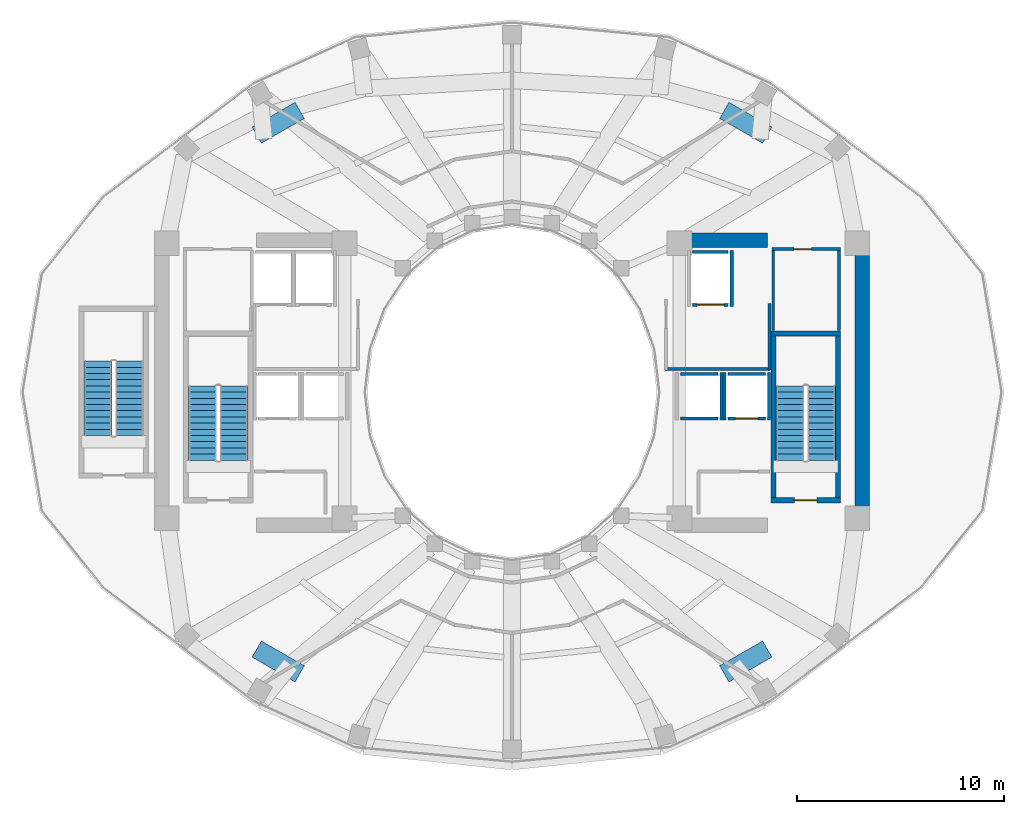
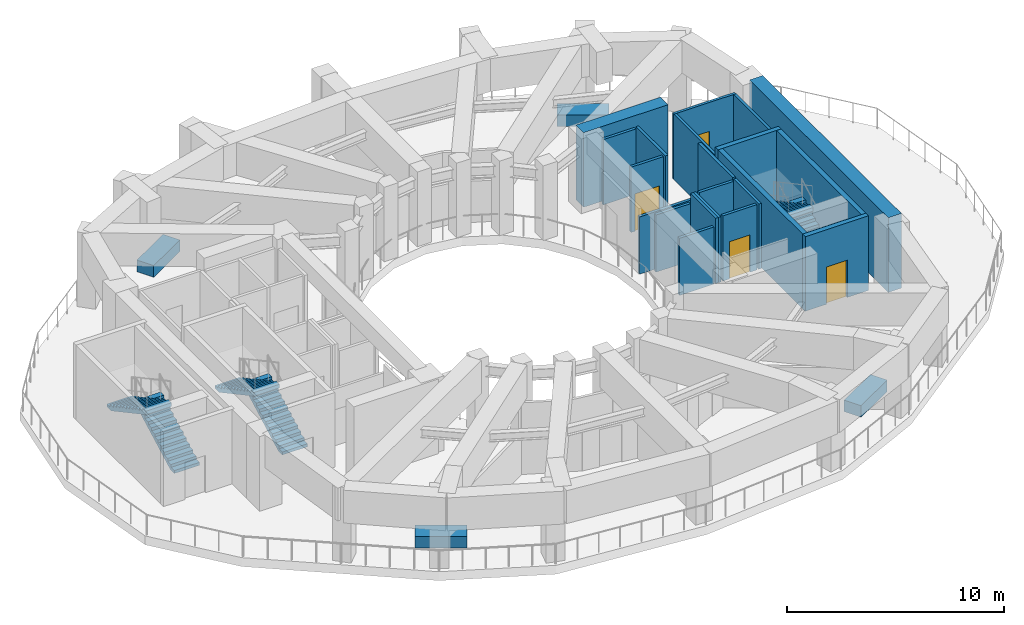
# One storey, part 4 of 9: 21 walls, 6 stair flights, 4 discrete accessories, 4 doors, 4 openings, 3 elements without a shape of their own.
"""IFC4 building model written with IfcOpenShell, lengths in metres."""

from ifc_helpers import new_model, si_unit, direction, frame, frame_2d, origin, origin_2d, place, context, subcontext, project, spatial, polyline, rectangle, outline, extrude, material, layer, layer_set, type_object, element, fill, aggregate, save


model = new_model("IFC4")

# Units and contexts
model_context = context("Model", 3, precision=1e-05, world=origin(), true_north=direction((0.0, 1.0)))
body_context = subcontext(model_context, "Body", "Model", "MODEL_VIEW")
ifc_project = project(units=[si_unit("LENGTHUNIT", "METRE"), si_unit("AREAUNIT", "SQUARE_METRE"), si_unit("VOLUMEUNIT", "CUBIC_METRE"), si_unit("PLANEANGLEUNIT", "RADIAN"), si_unit("MASSUNIT", "GRAM", prefix="KILO")], contexts=[model_context])

# Site, building, storey
site_placement = place(None, origin())
site = spatial("IfcSite", under=ifc_project, at=site_placement, CompositionType="ELEMENT")
building_placement = place(site_placement, origin())
building = spatial("IfcBuilding", under=site, at=building_placement, Name="Solvane Sanctuary Tower", CompositionType="ELEMENT")
storey_placement = place(building_placement, frame((0.0, 0.0, 133.199951171875)))
storey = spatial("IfcBuildingStorey", under=building, at=storey_placement, Name="L40", CompositionType="ELEMENT", Elevation=133.199951171875)

# Walls
ifc_material_1 = material(Name="Concrete C60/75", Category="concrete")
ifc_layer_1 = layer(ifc_material_1, 0.699951171875, Name="Concrete C60/75")
ifc_layer_set_1 = layer_set([ifc_layer_1], Name="Concrete C60/75")
wall_type_1 = type_object("IfcWallType", Name="Wall W-CORE-700", PredefinedType="SHEAR", material=ifc_layer_set_1)
wall_1_placement = place(storey_placement, frame((48.949951171875, 17.050048828125, 0.0), z_axis=(0.0, 0.0, 1.0), x_axis=(0.0, 1.0, 0.0)))
element("IfcWall", 1, at=wall_1_placement, inside=storey, type_object=wall_type_1, Name="L40 Core Shear Wall EC-E", PredefinedType="SHEAR", context=body_context, shape_type="SweptSolid", body=[
    extrude(rectangle(XDim=12.800048828125, YDim=0.699951171875, at=frame_2d((6.39990234375, 0.0))), origin(), (0.0, 0.0, 1.0), 4.199951171875),
])
wall_2_placement = place(storey_placement, frame((39.85009765625, 30.35009765625, 0.0), z_axis=(0.0, 0.0, 1.0), x_axis=(1.0, 0.0, 0.0)))
element("IfcWall", 2, at=wall_2_placement, inside=storey, type_object=wall_type_1, Name="L40 Core Shear Wall EC-N", PredefinedType="SHEAR", context=body_context, shape_type="SweptSolid", body=[
    extrude(rectangle(XDim=4.5, YDim=0.699951171875, at=frame_2d((2.25, 0.0))), origin(), (0.0, 0.0, 1.0), 4.199951171875),
])
ifc_material_2 = material(Name="Acoustic Gypsum Partition Board")
ifc_layer_2 = layer(ifc_material_2, 0.14990234375, Name="Acoustic Gypsum Partition Board")
ifc_layer_set_2 = layer_set([ifc_layer_2], Name="Acoustic Gypsum Partition Board")
wall_type_2 = type_object("IfcWallType", Name="Wall W-CORR-150", PredefinedType="PARTITIONING", material=ifc_layer_set_2)
wall_3_placement = place(storey_placement, frame((39.39990234375, 24.1201171875, 0.0), z_axis=(0.0, 0.0, 1.0), x_axis=(1.0, 0.0, 0.0)))
element("IfcWall", 3, at=wall_3_placement, inside=storey, type_object=wall_type_2, Name="L40 East Firefighting Lobby South Wall", PredefinedType="PARTITIONING", context=body_context, shape_type="SweptSolid", body=[
    extrude(rectangle(XDim=5.080078125, YDim=0.14990234375, at=frame_2d((2.5400390625, 0.0))), origin(), (0.0, 0.0, 1.0), 3.219970703125),
])
wall_4_placement = place(storey_placement, frame((44.449951171875, 24.080078125, 0.0), z_axis=(0.0, 0.0, 1.0), x_axis=(0.0, 1.0, 0.0)))
element("IfcWall", 4, at=wall_4_placement, inside=storey, type_object=wall_type_2, Name="L40 East Firefighting Lobby East Wall", PredefinedType="PARTITIONING", context=body_context, shape_type="SweptSolid", body=[
    extrude(rectangle(XDim=3.199951171875, YDim=0.14990234375, at=frame_2d((1.60009765625, 0.0))), origin(), (0.0, 0.0, 1.0), 3.675048828125),
])

# Wall, opening, door
ifc_material_3 = material(Name="Concrete C50/60", Category="concrete")
ifc_layer_3 = layer(ifc_material_3, 0.14990234375, Name="Concrete C50/60")
ifc_layer_set_3 = layer_set([ifc_layer_3], Name="Concrete C50/60")
wall_type_3 = type_object("IfcWallType", Name="Wall W-SHAFT-150", PredefinedType="SOLIDWALL", material=ifc_layer_set_3)
wall_5_placement = place(storey_placement, frame((42.43994140625, 21.719970703125, 0.0), z_axis=(0.0, 0.0, 1.0), x_axis=(1.0, 0.0, 0.0)))
wall_5 = element("IfcWall", 5, at=wall_5_placement, inside=storey, type_object=wall_type_3, Name="L40 PM-2 Lift Shaft Wall F", PredefinedType="SOLIDWALL", context=body_context, shape_type="SweptSolid", body=[
    extrude(rectangle(XDim=1.820068359375, YDim=0.14990234375, at=frame_2d((0.91015625, 0.0))), origin(), (0.0, 0.0, 1.0), 3.675048828125),
])
opening_1_placement = place(wall_5_placement, frame((0.360107421875, 0.0, 0.0)))
opening_1 = element("IfcOpeningElement", 6, at=opening_1_placement, cuts=wall_5, Name="Opening LD-L40-02", PredefinedType="OPENING", context=body_context, shape_type="SweptSolid", body=[
    extrude(rectangle(XDim=1.10009765625, YDim=2.10009765625, at=frame_2d((0.550048828125, 1.050048828125))), frame((0.0, 0.0849609375, 0.0), z_axis=(0.0, -1.0, 0.0), x_axis=(1.0, 0.0, 0.0)), (0.0, 0.0, 1.0), 0.169921875),
])
ifc_material_4 = material(Name="Architectural Stainless Steel 316", Category="steel")
door_type_1 = type_object("IfcDoorType", Name="Door LD-PASS-1100", OperationType="NOTDEFINED", PredefinedType="DOOR", material=ifc_material_4)
door_1_placement = place(opening_1_placement, origin())
door_1 = element("IfcDoor", 7, at=door_1_placement, inside=storey, type_object=door_type_1, Name="L40 PM-2 Lift Landing Door", OperationType="DOUBLE_DOOR_SLIDING", OverallHeight=2.10009765625, OverallWidth=1.10009765625, PredefinedType="DOOR", context=body_context, shape_type="SweptSolid", body=[
    extrude(rectangle(XDim=1.10009765625, YDim=2.10009765625, at=frame_2d((0.550048828125, 1.050048828125))), frame((0.0, 0.02490234375, 0.0), z_axis=(0.0, -1.0, 0.0), x_axis=(1.0, 0.0, 0.0)), (0.0, 0.0, 1.0), 0.050048828125),
])
fill(opening_1, door_1)

# Walls
wall_6_placement = place(storey_placement, frame((42.43994140625, 23.8798828125, 0.0), z_axis=(0.0, 0.0, 1.0), x_axis=(1.0, 0.0, 0.0)))
element("IfcWall", 8, at=wall_6_placement, inside=storey, type_object=wall_type_3, Name="L40 PM-2 Lift Shaft Wall B", PredefinedType="SOLIDWALL", context=body_context, shape_type="SweptSolid", body=[
    extrude(rectangle(XDim=1.820068359375, YDim=0.14990234375, at=frame_2d((0.91015625, 0.0))), origin(), (0.0, 0.0, 1.0), 3.675048828125),
])
for number, where, z_axis, x_axis, name in (
    (9, (42.27001953125, 21.639892578125, 0.0), (0.0, 0.0, 1.0), (0.0, 1.0, 0.0), "L40 PM-2 Lift Shaft Wall S1"),
    (10, (44.429931640625, 21.639892578125, 0.0), (0.0, 0.0, 1.0), (0.0, 1.0, 0.0), "L40 PM-2 Lift Shaft Wall S2"),
):
    element("IfcWall", number, at=place(storey_placement, frame(where, z_axis=z_axis, x_axis=x_axis)), inside=storey, type_object=wall_type_3, Name=name, PredefinedType="SOLIDWALL", context=body_context, shape_type="SweptSolid", body=[
        extrude(rectangle(XDim=2.320068359375, YDim=0.14990234375, at=frame_2d((1.16015625, 0.0))), origin(), (0.0, 0.0, 1.0), 3.675048828125),
    ])
for number, where, z_axis, x_axis, name in (
    (11, (40.139892578125, 21.719970703125, 0.0), (0.0, 0.0, 1.0), (1.0, 0.0, 0.0), "L40 PH-2 Lift Shaft Wall F"),
    (12, (40.139892578125, 23.8798828125, 0.0), (0.0, 0.0, 1.0), (1.0, 0.0, 0.0), "L40 PH-2 Lift Shaft Wall B"),
):
    element("IfcWall", number, at=place(storey_placement, frame(where, z_axis=z_axis, x_axis=x_axis)), inside=storey, type_object=wall_type_3, Name=name, PredefinedType="SOLIDWALL", context=body_context, shape_type="SweptSolid", body=[
        extrude(rectangle(XDim=1.820068359375, YDim=0.14990234375, at=frame_2d((0.91015625, 0.0))), origin(), (0.0, 0.0, 1.0), 3.219970703125),
    ])
wall_7_placement = place(storey_placement, frame((42.1298828125, 21.639892578125, 0.0), z_axis=(0.0, 0.0, 1.0), x_axis=(0.0, 1.0, 0.0)))
element("IfcWall", 13, at=wall_7_placement, inside=storey, type_object=wall_type_3, Name="L40 PH-2 Lift Shaft Wall S2", PredefinedType="SOLIDWALL", context=body_context, shape_type="SweptSolid", body=[
    extrude(rectangle(XDim=2.320068359375, YDim=0.14990234375, at=frame_2d((1.16015625, 0.0))), origin(), (0.0, 0.0, 1.0), 3.675048828125),
])

# Wall, opening, door
wall_8_placement = place(storey_placement, frame((40.739990234375, 27.219970703125, 0.0), z_axis=(0.0, 0.0, 1.0), x_axis=(1.0, 0.0, 0.0)))
wall_8 = element("IfcWall", 14, at=wall_8_placement, inside=storey, type_object=wall_type_3, Name="L40 FFL-2 Lift Shaft Wall F", PredefinedType="SOLIDWALL", context=body_context, shape_type="SweptSolid", body=[
    extrude(rectangle(XDim=1.719970703125, YDim=0.14990234375, at=frame_2d((0.85986328125, 0.0))), origin(), (0.0, 0.0, 1.0), 3.675048828125),
])
opening_2_placement = place(wall_8_placement, frame((0.2099609375, 0.0, 0.0)))
opening_2 = element("IfcOpeningElement", 15, at=opening_2_placement, cuts=wall_8, Name="Opening LD-L40-05", PredefinedType="OPENING", context=body_context, shape_type="SweptSolid", body=[
    extrude(rectangle(XDim=1.300048828125, YDim=2.10009765625, at=frame_2d((0.64990234375, 1.050048828125))), frame((0.0, 0.0849609375, 0.0), z_axis=(0.0, -1.0, 0.0), x_axis=(1.0, 0.0, 0.0)), (0.0, 0.0, 1.0), 0.169921875),
])
door_type_2 = type_object("IfcDoorType", Name="Door LD-FFL-1300", OperationType="NOTDEFINED", PredefinedType="DOOR", material=ifc_material_4)
door_2_placement = place(opening_2_placement, origin())
door_2 = element("IfcDoor", 16, at=door_2_placement, inside=storey, type_object=door_type_2, Name="L40 FFL-2 Lift Landing Door", OperationType="DOUBLE_DOOR_SLIDING", OverallHeight=2.10009765625, OverallWidth=1.300048828125, PredefinedType="DOOR", context=body_context, shape_type="SweptSolid", body=[
    extrude(rectangle(XDim=1.300048828125, YDim=2.10009765625, at=frame_2d((0.64990234375, 1.050048828125))), frame((0.0, 0.02490234375, 0.0), z_axis=(0.0, -1.0, 0.0), x_axis=(1.0, 0.0, 0.0)), (0.0, 0.0, 1.0), 0.050048828125),
])
fill(opening_2, door_2)

# Walls
wall_9_placement = place(storey_placement, frame((40.739990234375, 29.780029296875, 0.0), z_axis=(0.0, 0.0, 1.0), x_axis=(1.0, 0.0, 0.0)))
element("IfcWall", 17, at=wall_9_placement, inside=storey, type_object=wall_type_3, Name="L40 FFL-2 Lift Shaft Wall B", PredefinedType="SOLIDWALL", context=body_context, shape_type="SweptSolid", body=[
    extrude(rectangle(XDim=1.719970703125, YDim=0.14990234375, at=frame_2d((0.85986328125, 0.0))), origin(), (0.0, 0.0, 1.0), 3.675048828125),
])
wall_10_placement = place(storey_placement, frame((42.6298828125, 27.139892578125, 0.0), z_axis=(0.0, 0.0, 1.0), x_axis=(0.0, 1.0, 0.0)))
element("IfcWall", 18, at=wall_10_placement, inside=storey, type_object=wall_type_3, Name="L40 FFL-2 Lift Shaft Wall S2", PredefinedType="SOLIDWALL", context=body_context, shape_type="SweptSolid", body=[
    extrude(rectangle(XDim=2.72021484375, YDim=0.14990234375, at=frame_2d((1.360107421875, 0.0))), origin(), (0.0, 0.0, 1.0), 3.675048828125),
])

# Wall, opening, door
ifc_layer_4 = layer(ifc_material_3, 0.25, Name="Concrete C50/60")
ifc_layer_set_4 = layer_set([ifc_layer_4], Name="Concrete C50/60")
wall_type_4 = type_object("IfcWallType", Name="Wall W-SHAFT-250", PredefinedType="SOLIDWALL", material=ifc_layer_set_4)
wall_11_placement = place(storey_placement, frame((44.52490234375, 17.77001953125, 0.0), z_axis=(0.0, 0.0, 1.0), x_axis=(1.0, 0.0, 0.0)))
wall_11 = element("IfcWall", 19, at=wall_11_placement, inside=storey, type_object=wall_type_4, Name="L40 ST-2 Load-Bearing Shaft Wall S", PredefinedType="SOLIDWALL", context=body_context, shape_type="SweptSolid", body=[
    extrude(rectangle(XDim=3.3701171875, YDim=0.25, at=frame_2d((1.68505859375, 0.0))), origin(), (0.0, 0.0, 1.0), 4.199951171875),
])
opening_3_placement = place(wall_11_placement, frame((1.135009765625, 0.0, 0.0)))
opening_3 = element("IfcOpeningElement", 20, at=opening_3_placement, cuts=wall_11, Name="Opening D-L40-02", PredefinedType="OPENING", context=body_context, shape_type="SweptSolid", body=[
    extrude(rectangle(XDim=1.10009765625, YDim=2.10009765625, at=frame_2d((0.550048828125, 1.050048828125))), frame((0.0, 0.135009765625, 0.0), z_axis=(0.0, -1.0, 0.0), x_axis=(1.0, 0.0, 0.0)), (0.0, 0.0, 1.0), 0.27001953125),
])
door_type_3 = type_object("IfcDoorType", Name="Door D-STAIR", OperationType="NOTDEFINED", PredefinedType="DOOR", material=ifc_material_4)
door_3_placement = place(opening_3_placement, origin())
door_3 = element("IfcDoor", 21, at=door_3_placement, inside=storey, type_object=door_type_3, Name="L40 ST-2 Exit Stair Fire Door", OperationType="SINGLE_SWING_LEFT", OverallHeight=2.10009765625, OverallWidth=1.10009765625, PredefinedType="DOOR", context=body_context, shape_type="SweptSolid", body=[
    extrude(rectangle(XDim=1.10009765625, YDim=2.10009765625, at=frame_2d((0.550048828125, 1.050048828125))), frame((0.0, 0.02490234375, 0.0), z_axis=(0.0, -1.0, 0.0), x_axis=(1.0, 0.0, 0.0)), (0.0, 0.0, 1.0), 0.050048828125),
])
fill(opening_3, door_3)

# Walls
wall_12_placement = place(storey_placement, frame((44.52490234375, 25.830078125, 0.0), z_axis=(0.0, 0.0, 1.0), x_axis=(1.0, 0.0, 0.0)))
element("IfcWall", 22, at=wall_12_placement, inside=storey, type_object=wall_type_4, Name="L40 ST-2 Load-Bearing Shaft Wall N", PredefinedType="SOLIDWALL", context=body_context, shape_type="SweptSolid", body=[
    extrude(rectangle(XDim=3.3701171875, YDim=0.25, at=frame_2d((1.68505859375, 0.0))), origin(), (0.0, 0.0, 1.0), 4.199951171875),
])
for number, where, z_axis, x_axis, name in (
    (23, (44.64990234375, 17.89501953125, 0.0), (0.0, 0.0, 1.0), (0.0, 1.0, 0.0), "L40 ST-2 Load-Bearing Shaft Wall W"),
    (24, (47.77001953125, 17.89501953125, 0.0), (0.0, 0.0, 1.0), (0.0, 1.0, 0.0), "L40 ST-2 Load-Bearing Shaft Wall E"),
):
    element("IfcWall", number, at=place(storey_placement, frame(where, z_axis=z_axis, x_axis=x_axis)), inside=storey, type_object=wall_type_4, Name=name, PredefinedType="SOLIDWALL", context=body_context, shape_type="SweptSolid", body=[
        extrude(rectangle(XDim=7.81005859375, YDim=0.25, at=frame_2d((3.905029296875, 0.0))), origin(), (0.0, 0.0, 1.0), 4.199951171875),
    ])

# Wall, opening, door
ifc_layer_5 = layer(ifc_material_2, 0.139892578125, Name="Acoustic Gypsum Partition Board")
ifc_layer_set_5 = layer_set([ifc_layer_5], Name="Acoustic Gypsum Partition Board")
wall_type_5 = type_object("IfcWallType", Name="Wall W-WET-140", PredefinedType="PLUMBINGWALL", material=ifc_layer_set_5)
wall_13_placement = place(storey_placement, frame((44.580078125, 29.919921875, 0.0), z_axis=(0.0, 0.0, 1.0), x_axis=(1.0, 0.0, 0.0)))
wall_13 = element("IfcWall", 25, at=wall_13_placement, inside=storey, type_object=wall_type_5, Name="L40 Refuge Store Front Wall", PredefinedType="PLUMBINGWALL", context=body_context, shape_type="SweptSolid", body=[
    extrude(rectangle(XDim=3.2998046875, YDim=0.139892578125, at=frame_2d((1.64990234375, 0.0))), origin(), (0.0, 0.0, 1.0), 3.675048828125),
])
opening_4_placement = place(wall_13_placement, frame((1.050537109375, 0.0, 0.0)))
opening_4 = element("IfcOpeningElement", 26, at=opening_4_placement, cuts=wall_13, Name="Opening D-L40-13", PredefinedType="OPENING", context=body_context, shape_type="SweptSolid", body=[
    extrude(rectangle(XDim=0.85009765625, YDim=2.050048828125, at=frame_2d((0.425048828125, 1.02490234375))), frame((0.0, 0.079833984375, 0.0), z_axis=(0.0, -1.0, 0.0), x_axis=(1.0, 0.0, 0.0)), (0.0, 0.0, 1.0), 0.159912109375),
])
door_type_4 = type_object("IfcDoorType", Name="Door D-RISER", OperationType="NOTDEFINED", PredefinedType="DOOR", material=ifc_material_4)
door_4_placement = place(opening_4_placement, origin())
door_4 = element("IfcDoor", 27, at=door_4_placement, inside=storey, type_object=door_type_4, Name="L40 Refuge First Aid Door", OperationType="SINGLE_SWING_LEFT", OverallHeight=2.050048828125, OverallWidth=0.85009765625, PredefinedType="DOOR", context=body_context, shape_type="SweptSolid", body=[
    extrude(rectangle(XDim=0.85009765625, YDim=2.050048828125, at=frame_2d((0.425048828125, 1.02490234375))), frame((0.0, 0.02490234375, 0.0), z_axis=(0.0, -1.0, 0.0), x_axis=(1.0, 0.0, 0.0)), (0.0, 0.0, 1.0), 0.050048828125),
])
fill(opening_4, door_4)

# Walls
for number, where, z_axis, x_axis, name in (
    (28, (44.639892578125, 25.97998046875, 0.0), (0.0, 0.0, 1.0), (0.0, 1.0, 0.0), "L40 Refuge Store West Wall"),
    (29, (47.820068359375, 25.97998046875, 0.0), (0.0, 0.0, 1.0), (0.0, 1.0, 0.0), "L40 Refuge Store East Wall"),
):
    element("IfcWall", number, at=place(storey_placement, frame(where, z_axis=z_axis, x_axis=x_axis)), inside=storey, type_object=wall_type_5, Name=name, PredefinedType="PLUMBINGWALL", context=body_context, shape_type="SweptSolid", body=[
        extrude(rectangle(XDim=3.880126953125, YDim=0.139892578125, at=frame_2d((1.93994140625, 0.0))), origin(), (0.0, 0.0, 1.0), 3.675048828125),
    ])

# Stair, stair flights
ifc_material_5 = material(Name="Concrete C45/55", Category="concrete")
stair_type = type_object("IfcStairType", Name="Stair ST-TOW", PredefinedType="HALF_TURN_STAIR", material=ifc_material_5)
stair_1_placement = place(storey_placement, origin())
stair_1 = element("IfcStair", 30, at=stair_1_placement, inside=storey, type_object=stair_type, Name="L40 Exit Stair ST-1 West Core", PredefinedType="HALF_TURN_STAIR")
stair_flight_type = type_object("IfcStairFlightType", Name="StairFlight SF-TOW", PredefinedType="STRAIGHT", material=ifc_material_5)
stair_flight_1_placement = place(storey_placement, frame((18.544921875, 19.699951171875, 0.0), z_axis=(0.0, 0.0, 1.0), x_axis=(0.0, 1.0, 0.0)))
stair_flight_1 = element("IfcStairFlight", 31, at=stair_flight_1_placement, type_object=stair_flight_type, Name="ST-1 flight 1", NumberOfRisers=13, NumberOfTreads=12, PredefinedType="STRAIGHT", RiserHeight=0.161538462, TreadLength=0.3, context=body_context, shape_type="SweptSolid", body=[
    extrude(outline(polyline([(0.0, 0.0), (0.0, 0.16162109375), (0.300048828125, 0.16162109375), (0.300048828125, 0.322998046875), (0.60009765625, 0.322998046875), (0.60009765625, 0.484619140625), (0.89990234375, 0.484619140625), (0.89990234375, 0.646240234375), (1.199951171875, 0.646240234375), (1.199951171875, 0.8076171875), (1.5, 0.8076171875), (1.5, 0.96923828125), (1.800048828125, 0.96923828125), (1.800048828125, 1.130859375), (2.10009765625, 1.130859375), (2.10009765625, 1.292236328125), (2.39990234375, 1.292236328125), (2.39990234375, 1.453857421875), (2.699951171875, 1.453857421875), (2.699951171875, 1.615478515625), (3.0, 1.615478515625), (3.0, 1.77685546875), (3.300048828125, 1.77685546875), (3.300048828125, 1.9384765625), (3.60009765625, 1.9384765625), (3.60009765625, 2.10009765625), (3.60009765625, 1.734130859375), (0.379638671875, 0.0), (0.0, 0.0)])), frame((0.0, 0.675048828125, 0.0), z_axis=(0.0, -1.0, 0.0), x_axis=(1.0, 0.0, 0.0)), (0.0, 0.0, 1.0), 1.35009765625),
])
stair_flight_2_placement = place(storey_placement, frame((17.034912109375, 23.300048828125, 2.10009765625), z_axis=(0.0, 0.0, 1.0), x_axis=(0.0, -1.0, 0.0)))
stair_flight_2 = element("IfcStairFlight", 32, at=stair_flight_2_placement, type_object=stair_flight_type, Name="ST-1 flight 2", NumberOfRisers=13, NumberOfTreads=12, PredefinedType="STRAIGHT", RiserHeight=0.161538462, TreadLength=0.3, context=body_context, shape_type="SweptSolid", body=[
    extrude(outline(polyline([(0.0, 0.0), (0.0, 0.16162109375), (0.300048828125, 0.16162109375), (0.300048828125, 0.322998046875), (0.60009765625, 0.322998046875), (0.60009765625, 0.484619140625), (0.89990234375, 0.484619140625), (0.89990234375, 0.646240234375), (1.199951171875, 0.646240234375), (1.199951171875, 0.8076171875), (1.5, 0.8076171875), (1.5, 0.96923828125), (1.800048828125, 0.96923828125), (1.800048828125, 1.130859375), (2.10009765625, 1.130859375), (2.10009765625, 1.292236328125), (2.39990234375, 1.292236328125), (2.39990234375, 1.453857421875), (2.699951171875, 1.453857421875), (2.699951171875, 1.615478515625), (3.0, 1.615478515625), (3.0, 1.77685546875), (3.300048828125, 1.77685546875), (3.300048828125, 1.9384765625), (3.60009765625, 1.9384765625), (3.60009765625, 2.10009765625), (3.60009765625, 1.734130859375), (0.379638671875, 0.0), (0.0, 0.0)])), frame((0.0, 0.675048828125, 0.0), z_axis=(0.0, -1.0, 0.0), x_axis=(1.0, 0.0, 0.0)), (0.0, 0.0, 1.0), 1.35009765625),
])
aggregate(stair_1, [stair_flight_1, stair_flight_2])

stair_2_placement = place(storey_placement, origin())
stair_2 = element("IfcStair", 33, at=stair_2_placement, inside=storey, type_object=stair_type, Name="L40 Exit Stair ST-2 East Core", PredefinedType="HALF_TURN_STAIR")
stair_flight_3_placement = place(storey_placement, frame((46.965087890625, 19.699951171875, 0.0), z_axis=(0.0, 0.0, 1.0), x_axis=(0.0, 1.0, 0.0)))
stair_flight_3 = element("IfcStairFlight", 34, at=stair_flight_3_placement, type_object=stair_flight_type, Name="ST-2 flight 1", NumberOfRisers=13, NumberOfTreads=12, PredefinedType="STRAIGHT", RiserHeight=0.161538462, TreadLength=0.3, context=body_context, shape_type="SweptSolid", body=[
    extrude(outline(polyline([(0.0, 0.0), (0.0, 0.16162109375), (0.300048828125, 0.16162109375), (0.300048828125, 0.322998046875), (0.60009765625, 0.322998046875), (0.60009765625, 0.484619140625), (0.89990234375, 0.484619140625), (0.89990234375, 0.646240234375), (1.199951171875, 0.646240234375), (1.199951171875, 0.8076171875), (1.5, 0.8076171875), (1.5, 0.96923828125), (1.800048828125, 0.96923828125), (1.800048828125, 1.130859375), (2.10009765625, 1.130859375), (2.10009765625, 1.292236328125), (2.39990234375, 1.292236328125), (2.39990234375, 1.453857421875), (2.699951171875, 1.453857421875), (2.699951171875, 1.615478515625), (3.0, 1.615478515625), (3.0, 1.77685546875), (3.300048828125, 1.77685546875), (3.300048828125, 1.9384765625), (3.60009765625, 1.9384765625), (3.60009765625, 2.10009765625), (3.60009765625, 1.734130859375), (0.379638671875, 0.0), (0.0, 0.0)])), frame((0.0, 0.675048828125, 0.0), z_axis=(0.0, -1.0, 0.0), x_axis=(1.0, 0.0, 0.0)), (0.0, 0.0, 1.0), 1.35009765625),
])
stair_flight_4_placement = place(storey_placement, frame((45.455078125, 23.300048828125, 2.10009765625), z_axis=(0.0, 0.0, 1.0), x_axis=(0.0, -1.0, 0.0)))
stair_flight_4 = element("IfcStairFlight", 35, at=stair_flight_4_placement, type_object=stair_flight_type, Name="ST-2 flight 2", NumberOfRisers=13, NumberOfTreads=12, PredefinedType="STRAIGHT", RiserHeight=0.161538462, TreadLength=0.3, context=body_context, shape_type="SweptSolid", body=[
    extrude(outline(polyline([(0.0, 0.0), (0.0, 0.16162109375), (0.300048828125, 0.16162109375), (0.300048828125, 0.322998046875), (0.60009765625, 0.322998046875), (0.60009765625, 0.484619140625), (0.89990234375, 0.484619140625), (0.89990234375, 0.646240234375), (1.199951171875, 0.646240234375), (1.199951171875, 0.8076171875), (1.5, 0.8076171875), (1.5, 0.96923828125), (1.800048828125, 0.96923828125), (1.800048828125, 1.130859375), (2.10009765625, 1.130859375), (2.10009765625, 1.292236328125), (2.39990234375, 1.292236328125), (2.39990234375, 1.453857421875), (2.699951171875, 1.453857421875), (2.699951171875, 1.615478515625), (3.0, 1.615478515625), (3.0, 1.77685546875), (3.300048828125, 1.77685546875), (3.300048828125, 1.9384765625), (3.60009765625, 1.9384765625), (3.60009765625, 2.10009765625), (3.60009765625, 1.734130859375), (0.379638671875, 0.0), (0.0, 0.0)])), frame((0.0, 0.675048828125, 0.0), z_axis=(0.0, -1.0, 0.0), x_axis=(1.0, 0.0, 0.0)), (0.0, 0.0, 1.0), 1.35009765625),
])
aggregate(stair_2, [stair_flight_3, stair_flight_4])

stair_3_placement = place(storey_placement, origin())
stair_3 = element("IfcStair", 36, at=stair_3_placement, inside=storey, type_object=stair_type, Name="L40 Exit Stair ST-3 Pilgrim Tower Stair", PredefinedType="HALF_TURN_STAIR")
stair_flight_5_placement = place(storey_placement, frame((13.485107421875, 20.89990234375, 0.0), z_axis=(0.0, 0.0, 1.0), x_axis=(0.0, 1.0, 0.0)))
stair_flight_5 = element("IfcStairFlight", 37, at=stair_flight_5_placement, type_object=stair_flight_type, Name="ST-3 flight 1", NumberOfRisers=13, NumberOfTreads=12, PredefinedType="STRAIGHT", RiserHeight=0.161538462, TreadLength=0.3, context=body_context, shape_type="SweptSolid", body=[
    extrude(outline(polyline([(0.0, 0.0), (0.0, 0.16162109375), (0.300048828125, 0.16162109375), (0.300048828125, 0.322998046875), (0.60009765625, 0.322998046875), (0.60009765625, 0.484619140625), (0.89990234375, 0.484619140625), (0.89990234375, 0.646240234375), (1.199951171875, 0.646240234375), (1.199951171875, 0.8076171875), (1.5, 0.8076171875), (1.5, 0.96923828125), (1.800048828125, 0.96923828125), (1.800048828125, 1.130859375), (2.10009765625, 1.130859375), (2.10009765625, 1.292236328125), (2.39990234375, 1.292236328125), (2.39990234375, 1.453857421875), (2.699951171875, 1.453857421875), (2.699951171875, 1.615478515625), (3.0, 1.615478515625), (3.0, 1.77685546875), (3.300048828125, 1.77685546875), (3.300048828125, 1.9384765625), (3.60009765625, 1.9384765625), (3.60009765625, 2.10009765625), (3.60009765625, 1.734130859375), (0.379638671875, 0.0), (0.0, 0.0)])), frame((0.0, 0.675048828125, 0.0), z_axis=(0.0, -1.0, 0.0), x_axis=(1.0, 0.0, 0.0)), (0.0, 0.0, 1.0), 1.35009765625),
])
stair_flight_6_placement = place(storey_placement, frame((11.97509765625, 24.5, 2.10009765625), z_axis=(0.0, 0.0, 1.0), x_axis=(0.0, -1.0, 0.0)))
stair_flight_6 = element("IfcStairFlight", 38, at=stair_flight_6_placement, type_object=stair_flight_type, Name="ST-3 flight 2", NumberOfRisers=13, NumberOfTreads=12, PredefinedType="STRAIGHT", RiserHeight=0.161538462, TreadLength=0.3, context=body_context, shape_type="SweptSolid", body=[
    extrude(outline(polyline([(0.0, 0.0), (0.0, 0.16162109375), (0.300048828125, 0.16162109375), (0.300048828125, 0.322998046875), (0.60009765625, 0.322998046875), (0.60009765625, 0.484619140625), (0.89990234375, 0.484619140625), (0.89990234375, 0.646240234375), (1.199951171875, 0.646240234375), (1.199951171875, 0.8076171875), (1.5, 0.8076171875), (1.5, 0.96923828125), (1.800048828125, 0.96923828125), (1.800048828125, 1.130859375), (2.10009765625, 1.130859375), (2.10009765625, 1.292236328125), (2.39990234375, 1.292236328125), (2.39990234375, 1.453857421875), (2.699951171875, 1.453857421875), (2.699951171875, 1.615478515625), (3.0, 1.615478515625), (3.0, 1.77685546875), (3.300048828125, 1.77685546875), (3.300048828125, 1.9384765625), (3.60009765625, 1.9384765625), (3.60009765625, 2.10009765625), (3.60009765625, 1.734130859375), (0.379638671875, 0.0), (0.0, 0.0)])), frame((0.0, 0.675048828125, 0.0), z_axis=(0.0, -1.0, 0.0), x_axis=(1.0, 0.0, 0.0)), (0.0, 0.0, 1.0), 1.35009765625),
])
aggregate(stair_3, [stair_flight_5, stair_flight_6])

# Discrete accessories
ifc_material_6 = material(Name="Precast concrete C40/50", Category="concrete")
ifc_layer_6 = layer(ifc_material_6, 0.64990234375, Name="Precast concrete C40/50")
ifc_layer_set_6 = layer_set([ifc_layer_6], Name="Precast concrete C40/50")
discrete_accessory_type = type_object("IfcDiscreteAccessoryType", Name="Accessory PLN-TERRACE", PredefinedType="USERDEFINED", material=ifc_layer_set_6)
for number, where, z_axis, x_axis, name in (
    (39, (43.308349609375, 36.02880859375, 0.0), (0.0, 0.0, 1.0), (-0.866025403784, 0.5, 0.0), "L40 Tropical Refuge Sky Planter 1"),
    (40, (20.691650390625, 36.02880859375, 0.0), (0.0, 0.0, 1.0), (-0.866025403784, -0.5, 0.0), "L40 Tropical Refuge Sky Planter 2"),
    (41, (20.691650390625, 9.97119140625, 0.0), (0.0, 0.0, 1.0), (0.866025403784, -0.5, 0.0), "L40 Tropical Refuge Sky Planter 3"),
    (42, (43.308349609375, 9.97119140625, 0.0), (0.0, 0.0, 1.0), (0.866025403784, 0.5, 0.0), "L40 Tropical Refuge Sky Planter 4"),
):
    element("IfcDiscreteAccessory", number, at=place(storey_placement, frame(where, z_axis=z_axis, x_axis=x_axis)), inside=storey, type_object=discrete_accessory_type, Name=name, ObjectType="PLANTER", PredefinedType="USERDEFINED", context=body_context, shape_type="SweptSolid", body=[
        extrude(rectangle(XDim=2.39990234375, YDim=0.89990234375, at=origin_2d()), origin(), (0.0, 0.0, 1.0), 0.64990234375),
    ])

save(model, "model.ifc")
